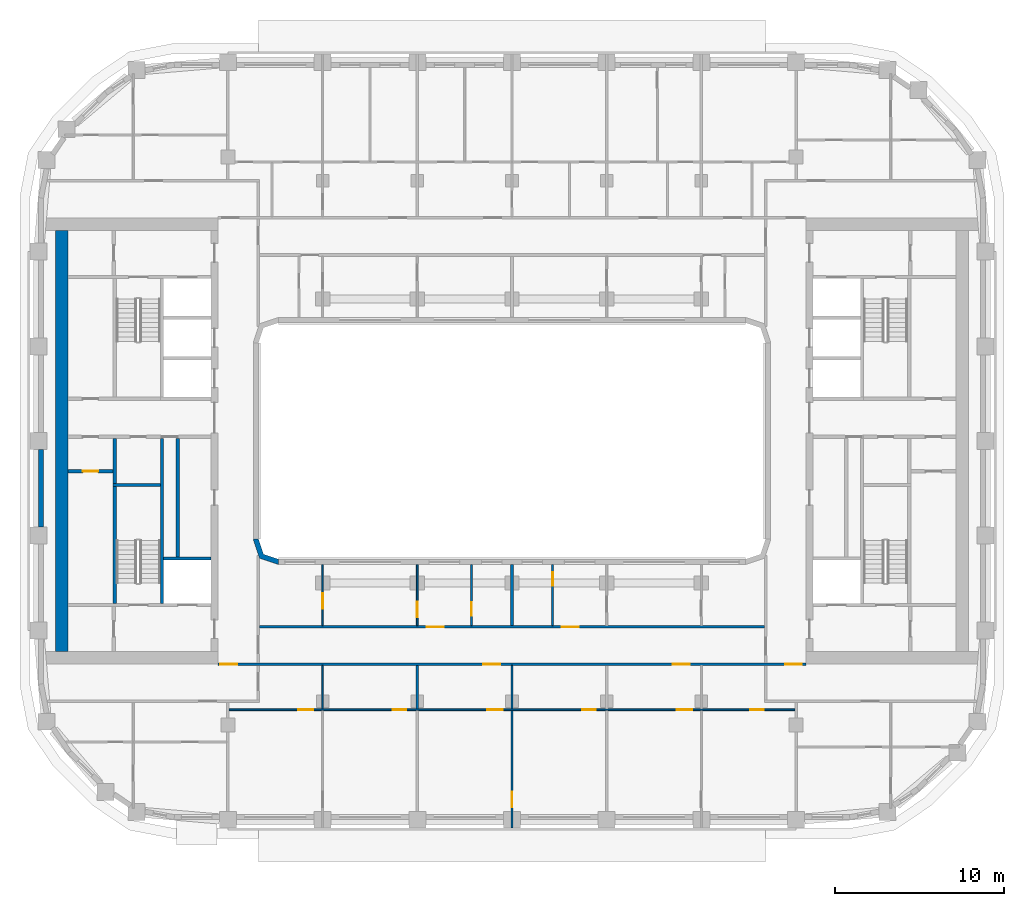
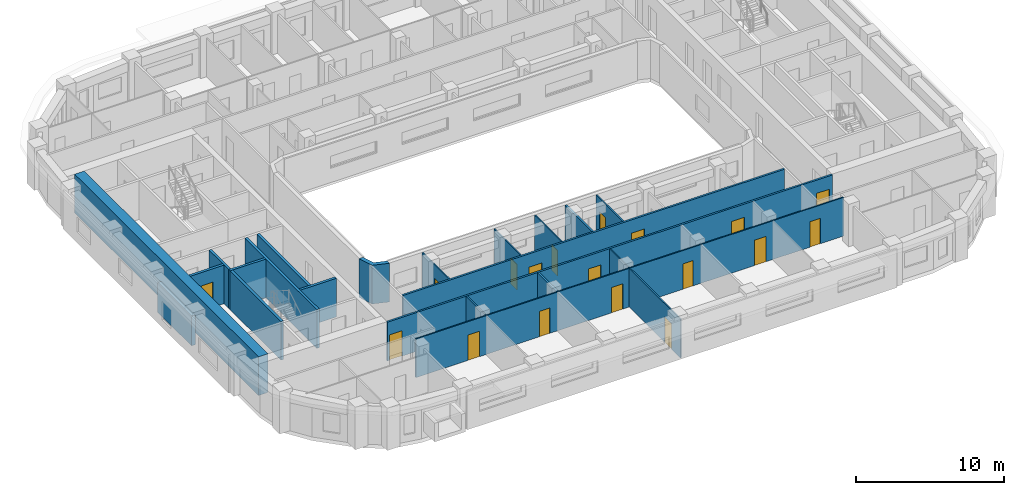
# One storey, part 3 of 22: 22 walls, 18 doors, 18 openings.
"""IFC4 building model written with IfcOpenShell, lengths in metres."""

from ifc_helpers import new_model, si_unit, direction, frame, frame_2d, origin, place, context, subcontext, project, spatial, polyline, rectangle, outline, extrude, material, layer, layer_set, type_object, element, fill, save


model = new_model("IFC4")

# Units and contexts
model_context = context("Model", 3, precision=1e-05, world=origin(), true_north=direction((0.0, 1.0)))
body_context = subcontext(model_context, "Body", "Model", "MODEL_VIEW")
ifc_project = project(units=[si_unit("LENGTHUNIT", "METRE"), si_unit("AREAUNIT", "SQUARE_METRE"), si_unit("VOLUMEUNIT", "CUBIC_METRE"), si_unit("PLANEANGLEUNIT", "RADIAN"), si_unit("MASSUNIT", "GRAM", prefix="KILO")], contexts=[model_context])

# Site, building, storey
site_placement = place(None, origin())
site = spatial("IfcSite", under=ifc_project, at=site_placement, CompositionType="ELEMENT")
building_placement = place(site_placement, origin())
building = spatial("IfcBuilding", under=site, at=building_placement, Name="Kiln Ring Residences", CompositionType="ELEMENT")
storey_placement = place(building_placement, frame((0.0, 0.0, 171.10009765625)))
storey = spatial("IfcBuildingStorey", under=building, at=storey_placement, Name="L44", CompositionType="ELEMENT", Elevation=171.10009765625)

# Walls
ifc_material_1 = material(Name="Gypsum board on steel studs", Category="steel")
ifc_layer_1 = layer(ifc_material_1, 0.199951171875)
ifc_layer_set_1 = layer_set([ifc_layer_1], Name="CORE-PARTITION-200")
wall_type_1 = type_object("IfcWallType", Name="CORE-PARTITION-200", PredefinedType="PARTITIONING", material=ifc_layer_set_1)
wall_1_placement = place(storey_placement, frame((-23.5, -2.5, 0.0), z_axis=(0.0, 0.0, 1.0), x_axis=(0.0, 1.0, 0.0)))
element("IfcWall", 1, at=wall_1_placement, inside=storey, type_object=wall_type_1, Name="Core partition west L44 1", PredefinedType="PARTITIONING", context=body_context, shape_type="SweptSolid", body=[
    extrude(rectangle(XDim=2.64990234375, YDim=0.199951171875, at=frame_2d((1.324951171875, 0.0))), origin(), (0.0, 0.0, 1.0), 3.199951171875),
])
wall_2_placement = place(storey_placement, frame((-19.760009765625, -6.85009765625, 0.0), z_axis=(0.0, 0.0, 1.0), x_axis=(0.0, 1.0, 0.0)))
element("IfcWall", 2, at=wall_2_placement, inside=storey, type_object=wall_type_1, Name="Core partition west L44 3", PredefinedType="PARTITIONING", context=body_context, shape_type="SweptSolid", body=[
    extrude(rectangle(XDim=7.0, YDim=0.199951171875, at=frame_2d((3.5, 0.0))), origin(), (0.0, 0.0, 1.0), 3.199951171875),
])

# Wall, opening, door
wall_3_placement = place(storey_placement, frame((-23.60009765625, -1.800048828125, 0.0), z_axis=(0.0, 0.0, 1.0), x_axis=(-1.0, 0.0, 0.0)))
wall_3 = element("IfcWall", 3, at=wall_3_placement, inside=storey, type_object=wall_type_1, Name="Core partition west L44 6", PredefinedType="PARTITIONING", context=body_context, shape_type="SweptSolid", body=[
    extrude(rectangle(XDim=2.64990234375, YDim=0.199951171875, at=frame_2d((1.324951171875, 0.0))), origin(), (0.0, 0.0, 1.0), 3.199951171875),
])
opening_1_placement = place(wall_3_placement, frame((0.875, 0.0, 0.0)))
opening_1 = element("IfcOpeningElement", 4, at=opening_1_placement, cuts=wall_3, Name="Opening L44-CW15", PredefinedType="OPENING", context=body_context, shape_type="SweptSolid", body=[
    extrude(rectangle(XDim=0.89990234375, YDim=2.10009765625, at=frame_2d((0.449951171875, 1.050048828125))), frame((0.0, 0.10986328125, 0.0), z_axis=(0.0, -1.0, 0.0), x_axis=(1.0, 0.0, 0.0)), (0.0, 0.0, 1.0), 0.219970703125),
])
ifc_material_2 = material(Name="Steel door leaf", Category="steel")
door_type_1 = type_object("IfcDoorType", Name="CORE-DOOR-ROOM", OperationType="SINGLE_SWING_LEFT", PredefinedType="DOOR", material=ifc_material_2)
door_1_placement = place(opening_1_placement, origin())
door_1 = element("IfcDoor", 5, at=door_1_placement, inside=storey, type_object=door_type_1, Name="Pump and valve room L44-CW15", OperationType="SINGLE_SWING_RIGHT", OverallHeight=2.10009765625, OverallWidth=0.89990234375, PredefinedType="DOOR", context=body_context, shape_type="SweptSolid", body=[
    extrude(rectangle(XDim=0.89990234375, YDim=2.10009765625, at=frame_2d((0.449951171875, 1.050048828125))), frame((0.0, 0.02490234375, 0.0), z_axis=(0.0, -1.0, 0.0), x_axis=(1.0, 0.0, 0.0)), (0.0, 0.0, 1.0), 0.050048828125),
])
fill(opening_1, door_1)

# Walls
ifc_material_3 = material(Name="Gypsum shaft wall system")
ifc_layer_2 = layer(ifc_material_3, 0.199951171875)
ifc_layer_set_2 = layer_set([ifc_layer_2], Name="CORE-SHAFT-WALL-200")
wall_type_2 = type_object("IfcWallType", Name="CORE-SHAFT-WALL-200", PredefinedType="PARTITIONING", material=ifc_layer_set_2)
wall_4_placement = place(storey_placement, frame((-17.800048828125, -6.949951171875, 0.0), z_axis=(0.0, 0.0, 1.0), x_axis=(-1.0, 0.0, 0.0)))
element("IfcWall", 6, at=wall_4_placement, inside=storey, type_object=wall_type_2, Name="Core partition west L44 7", PredefinedType="PARTITIONING", context=body_context, shape_type="SweptSolid", body=[
    extrude(rectangle(XDim=2.800048828125, YDim=0.199951171875, at=frame_2d((1.39990234375, 0.0))), origin(), (0.0, 0.0, 1.0), 3.199951171875),
])
ifc_material_4 = material(Name="Concrete C40/50", Category="concrete")
ifc_layer_3 = layer(ifc_material_4, 0.199951171875)
ifc_layer_set_3 = layer_set([ifc_layer_3], Name="CORE-WALL-RC200")
wall_type_3 = type_object("IfcWallType", Name="CORE-WALL-RC200", PredefinedType="SHEAR", material=ifc_layer_set_3)
wall_5_placement = place(storey_placement, frame((-20.699951171875, -9.60009765625, 0.0), z_axis=(0.0, 0.0, 1.0), x_axis=(0.0, 1.0, 0.0)))
element("IfcWall", 7, at=wall_5_placement, inside=storey, type_object=wall_type_3, Name="Core wall west L44 2", PredefinedType="SHEAR", context=body_context, shape_type="SweptSolid", body=[
    extrude(rectangle(XDim=9.75, YDim=0.199951171875, at=frame_2d((4.875, 0.0))), origin(), (0.0, 0.0, 1.0), 3.199951171875),
])
wall_6_placement = place(storey_placement, frame((-23.5, -9.60009765625, 0.0), z_axis=(0.0, 0.0, 1.0), x_axis=(0.0, 1.0, 0.0)))
element("IfcWall", 8, at=wall_6_placement, inside=storey, type_object=wall_type_3, Name="Core wall west L44 11", PredefinedType="SHEAR", context=body_context, shape_type="SweptSolid", body=[
    extrude(rectangle(XDim=6.900146484375, YDim=0.199951171875, at=frame_2d((3.4501953125, 0.0))), origin(), (0.0, 0.0, 1.0), 3.199951171875),
])
wall_7_placement = place(storey_placement, frame((-20.800048828125, -2.60009765625, 0.0), z_axis=(0.0, 0.0, 1.0), x_axis=(-1.0, 0.0, 0.0)))
element("IfcWall", 9, at=wall_7_placement, inside=storey, type_object=wall_type_3, Name="Core wall west L44 12", PredefinedType="SHEAR", context=body_context, shape_type="SweptSolid", body=[
    extrude(rectangle(XDim=2.800048828125, YDim=0.199951171875, at=frame_2d((1.39990234375, 0.0))), origin(), (0.0, 0.0, 1.0), 3.199951171875),
])
ifc_material_5 = material(Name="Concrete C60/75", Category="concrete")
ifc_layer_4 = layer(ifc_material_5, 0.75)
ifc_layer_set_4 = layer_set([ifc_layer_4], Name="CORE-WALL-RC750")
wall_type_4 = type_object("IfcWallType", Name="CORE-WALL-RC750", PredefinedType="SHEAR", material=ifc_layer_set_4)
wall_8_placement = place(storey_placement, frame((-26.625, -12.449951171875, 0.0), z_axis=(0.0, 0.0, 1.0), x_axis=(0.0, 1.0, 0.0)))
element("IfcWall", 10, at=wall_8_placement, inside=storey, type_object=wall_type_4, Name="Core wall west L44 7", PredefinedType="SHEAR", context=body_context, shape_type="SweptSolid", body=[
    extrude(rectangle(XDim=24.89990234375, YDim=0.75, at=frame_2d((12.449951171875, 0.0))), origin(), (0.0, 0.0, 1.0), 3.199951171875),
])
ifc_material_6 = material(Name="Brick masonry, dark clay brick", Category="masonry")
ifc_layer_5 = layer(ifc_material_6, 0.300048828125)
ifc_layer_set_5 = layer_set([ifc_layer_5], Name="EW-300 BRICK WALL")
wall_type_5 = type_object("IfcWallType", Name="EW-300 BRICK WALL", PredefinedType="SOLIDWALL", material=ifc_layer_set_5)
wall_9_placement = place(storey_placement, frame((-27.85009765625, -0.5, 0.0), z_axis=(0.0, 0.0, 1.0), x_axis=(0.0, -1.0, 0.0)))
element("IfcWall", 11, at=wall_9_placement, inside=storey, type_object=wall_type_5, Name="Facade wall L44 44", PredefinedType="SOLIDWALL", context=body_context, shape_type="SweptSolid", body=[
    extrude(rectangle(XDim=4.60009765625, YDim=0.300048828125, at=frame_2d((2.300048828125, 0.0))), origin(), (0.0, 0.0, 1.0), 2.449951171875),
])
wall_10_placement = place(storey_placement, origin())
element("IfcWall", 12, at=wall_10_placement, inside=storey, type_object=wall_type_5, Name="Corner wall L44 4", PredefinedType="SOLIDWALL", context=body_context, shape_type="SweptSolid", body=[
    extrude(outline(polyline([(-14.937255859375, -6.937255859375), (-13.8486328125, -7.300048828125), (-13.800048828125, -7.300048828125), (-13.800048828125, -7.0), (-14.699951171875, -6.699951171875), (-15.0, -5.800048828125), (-15.300048828125, -5.800048828125), (-15.300048828125, -5.8486328125), (-14.937255859375, -6.937255859375)])), origin(), (0.0, 0.0, 1.0), 3.199951171875),
])

# Wall, openings, doors
ifc_material_7 = material(Name="Gypsum board on steel studs", Category="steel")
ifc_layer_6 = layer(ifc_material_7, 0.10009765625)
ifc_layer_set_6 = layer_set([ifc_layer_6], Name="PARTITION-100")
wall_type_6 = type_object("IfcWallType", Name="PARTITION-100", PredefinedType="PARTITIONING", material=ifc_layer_set_6)
wall_11_placement = place(storey_placement, frame((-16.72509765625, -15.89990234375, 0.0), z_axis=(0.0, 0.0, 1.0), x_axis=(1.0, 0.0, 0.0)))
wall_11 = element("IfcWall", 13, at=wall_11_placement, inside=storey, type_object=wall_type_6, Name="Partition 002", PredefinedType="PARTITIONING", context=body_context, shape_type="SweptSolid", body=[
    extrude(rectangle(XDim=33.4501953125, YDim=0.10009765625, at=frame_2d((16.72509765625, 0.0))), origin(), (0.0, 0.0, 1.0), 3.199951171875),
])
opening_2_placement = place(wall_11_placement, frame((9.675048828125, 0.0, 0.0)))
opening_2 = element("IfcOpeningElement", 14, at=opening_2_placement, cuts=wall_11, Name="Opening L44-D053", PredefinedType="OPENING", context=body_context, shape_type="SweptSolid", body=[
    extrude(rectangle(XDim=0.800048828125, YDim=2.10009765625, at=frame_2d((0.39990234375, 1.050048828125))), frame((0.0, 0.06005859375, 0.0), z_axis=(0.0, -1.0, 0.0), x_axis=(1.0, 0.0, 0.0)), (0.0, 0.0, 1.0), 0.1201171875),
])
opening_3_placement = place(wall_11_placement, frame((4.074951171875, 0.0, 0.0)))
opening_3 = element("IfcOpeningElement", 15, at=opening_3_placement, cuts=wall_11, Name="Opening L44-D054", PredefinedType="OPENING", context=body_context, shape_type="SweptSolid", body=[
    extrude(rectangle(XDim=0.89990234375, YDim=2.10009765625, at=frame_2d((0.449951171875, 1.050048828125))), frame((0.0, 0.06005859375, 0.0), z_axis=(0.0, -1.0, 0.0), x_axis=(1.0, 0.0, 0.0)), (0.0, 0.0, 1.0), 0.1201171875),
])
opening_4_placement = place(wall_11_placement, frame((20.875, 0.0, 0.0)))
opening_4 = element("IfcOpeningElement", 16, at=opening_4_placement, cuts=wall_11, Name="Opening L44-D057", PredefinedType="OPENING", context=body_context, shape_type="SweptSolid", body=[
    extrude(rectangle(XDim=0.800048828125, YDim=2.10009765625, at=frame_2d((0.39990234375, 1.050048828125))), frame((0.0, 0.06005859375, 0.0), z_axis=(0.0, -1.0, 0.0), x_axis=(1.0, 0.0, 0.0)), (0.0, 0.0, 1.0), 0.1201171875),
])
opening_5_placement = place(wall_11_placement, frame((15.27490234375, 0.0, 0.0)))
opening_5 = element("IfcOpeningElement", 17, at=opening_5_placement, cuts=wall_11, Name="Opening L44-D058", PredefinedType="OPENING", context=body_context, shape_type="SweptSolid", body=[
    extrude(rectangle(XDim=0.89990234375, YDim=2.10009765625, at=frame_2d((0.449951171875, 1.050048828125))), frame((0.0, 0.06005859375, 0.0), z_axis=(0.0, -1.0, 0.0), x_axis=(1.0, 0.0, 0.0)), (0.0, 0.0, 1.0), 0.1201171875),
])
opening_6_placement = place(wall_11_placement, frame((30.824951171875, 0.0, 0.0)))
opening_6 = element("IfcOpeningElement", 18, at=opening_6_placement, cuts=wall_11, Name="Opening L44-D061", PredefinedType="OPENING", context=body_context, shape_type="SweptSolid", body=[
    extrude(rectangle(XDim=0.800048828125, YDim=2.10009765625, at=frame_2d((0.39990234375, 1.050048828125))), frame((0.0, 0.06005859375, 0.0), z_axis=(0.0, -1.0, 0.0), x_axis=(1.0, 0.0, 0.0)), (0.0, 0.0, 1.0), 0.1201171875),
])
opening_7_placement = place(wall_11_placement, frame((26.47509765625, 0.0, 0.0)))
opening_7 = element("IfcOpeningElement", 19, at=opening_7_placement, cuts=wall_11, Name="Opening L44-D062", PredefinedType="OPENING", context=body_context, shape_type="SweptSolid", body=[
    extrude(rectangle(XDim=0.89990234375, YDim=2.10009765625, at=frame_2d((0.449951171875, 1.050048828125))), frame((0.0, 0.06005859375, 0.0), z_axis=(0.0, -1.0, 0.0), x_axis=(1.0, 0.0, 0.0)), (0.0, 0.0, 1.0), 0.1201171875),
])
ifc_material_8 = material(Name="Timber door leaf", Category="wood")
door_type_2 = type_object("IfcDoorType", Name="FLAT-DOOR-800-PL", OperationType="SINGLE_SWING_LEFT", PredefinedType="DOOR", material=ifc_material_8)
door_2_placement = place(opening_2_placement, origin())
door_2 = element("IfcDoor", 20, at=door_2_placement, inside=storey, type_object=door_type_2, Name="Door L44-D053", OperationType="SINGLE_SWING_LEFT", OverallHeight=2.10009765625, OverallWidth=0.800048828125, PredefinedType="DOOR", context=body_context, shape_type="SweptSolid", body=[
    extrude(rectangle(XDim=0.800048828125, YDim=2.10009765625, at=frame_2d((0.39990234375, 1.050048828125))), frame((0.0, 0.02490234375, 0.0), z_axis=(0.0, -1.0, 0.0), x_axis=(1.0, 0.0, 0.0)), (0.0, 0.0, 1.0), 0.050048828125),
])
fill(opening_2, door_2)
door_3_placement = place(opening_4_placement, origin())
door_3 = element("IfcDoor", 21, at=door_3_placement, inside=storey, type_object=door_type_2, Name="Door L44-D057", OperationType="SINGLE_SWING_LEFT", OverallHeight=2.10009765625, OverallWidth=0.800048828125, PredefinedType="DOOR", context=body_context, shape_type="SweptSolid", body=[
    extrude(rectangle(XDim=0.800048828125, YDim=2.10009765625, at=frame_2d((0.39990234375, 1.050048828125))), frame((0.0, 0.02490234375, 0.0), z_axis=(0.0, -1.0, 0.0), x_axis=(1.0, 0.0, 0.0)), (0.0, 0.0, 1.0), 0.050048828125),
])
fill(opening_4, door_3)
door_4_placement = place(opening_6_placement, origin())
door_4 = element("IfcDoor", 22, at=door_4_placement, inside=storey, type_object=door_type_2, Name="Door L44-D061", OperationType="SINGLE_SWING_LEFT", OverallHeight=2.10009765625, OverallWidth=0.800048828125, PredefinedType="DOOR", context=body_context, shape_type="SweptSolid", body=[
    extrude(rectangle(XDim=0.800048828125, YDim=2.10009765625, at=frame_2d((0.39990234375, 1.050048828125))), frame((0.0, 0.02490234375, 0.0), z_axis=(0.0, -1.0, 0.0), x_axis=(1.0, 0.0, 0.0)), (0.0, 0.0, 1.0), 0.050048828125),
])
fill(opening_6, door_4)
ifc_material_9 = material(Name="Timber door leaf", Category="wood")
door_type_3 = type_object("IfcDoorType", Name="FLAT-DOOR-900-PL", OperationType="SINGLE_SWING_LEFT", PredefinedType="DOOR", material=ifc_material_9)
door_5_placement = place(opening_3_placement, origin())
door_5 = element("IfcDoor", 23, at=door_5_placement, inside=storey, type_object=door_type_3, Name="Door L44-D054", OperationType="SINGLE_SWING_RIGHT", OverallHeight=2.10009765625, OverallWidth=0.89990234375, PredefinedType="DOOR", context=body_context, shape_type="SweptSolid", body=[
    extrude(rectangle(XDim=0.89990234375, YDim=2.10009765625, at=frame_2d((0.449951171875, 1.050048828125))), frame((0.0, 0.02490234375, 0.0), z_axis=(0.0, -1.0, 0.0), x_axis=(1.0, 0.0, 0.0)), (0.0, 0.0, 1.0), 0.050048828125),
])
fill(opening_3, door_5)
door_6_placement = place(opening_5_placement, origin())
door_6 = element("IfcDoor", 24, at=door_6_placement, inside=storey, type_object=door_type_3, Name="Door L44-D058", OperationType="SINGLE_SWING_RIGHT", OverallHeight=2.10009765625, OverallWidth=0.89990234375, PredefinedType="DOOR", context=body_context, shape_type="SweptSolid", body=[
    extrude(rectangle(XDim=0.89990234375, YDim=2.10009765625, at=frame_2d((0.449951171875, 1.050048828125))), frame((0.0, 0.02490234375, 0.0), z_axis=(0.0, -1.0, 0.0), x_axis=(1.0, 0.0, 0.0)), (0.0, 0.0, 1.0), 0.050048828125),
])
fill(opening_5, door_6)
door_7_placement = place(opening_7_placement, origin())
door_7 = element("IfcDoor", 25, at=door_7_placement, inside=storey, type_object=door_type_3, Name="Door L44-D062", OperationType="SINGLE_SWING_RIGHT", OverallHeight=2.10009765625, OverallWidth=0.89990234375, PredefinedType="DOOR", context=body_context, shape_type="SweptSolid", body=[
    extrude(rectangle(XDim=0.89990234375, YDim=2.10009765625, at=frame_2d((0.449951171875, 1.050048828125))), frame((0.0, 0.02490234375, 0.0), z_axis=(0.0, -1.0, 0.0), x_axis=(1.0, 0.0, 0.0)), (0.0, 0.0, 1.0), 0.050048828125),
])
fill(opening_7, door_7)

# Wall
wall_12_placement = place(storey_placement, frame((-11.199951171875, -15.85009765625, 0.0), z_axis=(0.0, 0.0, 1.0), x_axis=(0.0, 1.0, 0.0)))
element("IfcWall", 26, at=wall_12_placement, inside=storey, type_object=wall_type_6, Name="Partition 027", PredefinedType="PARTITIONING", context=body_context, shape_type="SweptSolid", body=[
    extrude(rectangle(XDim=2.5751953125, YDim=0.10009765625, at=frame_2d((1.28759765625, 0.0))), origin(), (0.0, 0.0, 1.0), 3.199951171875),
])

# Wall, opening, door
wall_13_placement = place(storey_placement, frame((-11.199951171875, -10.925048828125, 0.0), z_axis=(0.0, 0.0, 1.0), x_axis=(0.0, 1.0, 0.0)))
wall_13 = element("IfcWall", 27, at=wall_13_placement, inside=storey, type_object=wall_type_6, Name="Partition 028", PredefinedType="PARTITIONING", context=body_context, shape_type="SweptSolid", body=[
    extrude(rectangle(XDim=3.60498046875, YDim=0.10009765625, at=frame_2d((1.802490234375, 0.0))), origin(), (0.0, 0.0, 1.0), 3.199951171875),
])
opening_8_placement = place(wall_13_placement, frame((1.0048828125, 0.0, 0.0)))
opening_8 = element("IfcOpeningElement", 28, at=opening_8_placement, cuts=wall_13, Name="Opening L44-D047", PredefinedType="OPENING", context=body_context, shape_type="SweptSolid", body=[
    extrude(rectangle(XDim=0.89990234375, YDim=2.10009765625, at=frame_2d((0.449951171875, 1.050048828125))), frame((0.0, 0.06005859375, 0.0), z_axis=(0.0, -1.0, 0.0), x_axis=(1.0, 0.0, 0.0)), (0.0, 0.0, 1.0), 0.1201171875),
])
door_8_placement = place(opening_8_placement, origin())
door_8 = element("IfcDoor", 29, at=door_8_placement, inside=storey, type_object=door_type_3, Name="Door L44-D047", OperationType="SINGLE_SWING_RIGHT", OverallHeight=2.10009765625, OverallWidth=0.89990234375, PredefinedType="DOOR", context=body_context, shape_type="SweptSolid", body=[
    extrude(rectangle(XDim=0.89990234375, YDim=2.10009765625, at=frame_2d((0.449951171875, 1.050048828125))), frame((0.0, 0.02490234375, 0.0), z_axis=(0.0, -1.0, 0.0), x_axis=(1.0, 0.0, 0.0)), (0.0, 0.0, 1.0), 0.050048828125),
])
fill(opening_8, door_8)

wall_14_placement = place(storey_placement, frame((-5.60009765625, -10.925048828125, 0.0), z_axis=(0.0, 0.0, 1.0), x_axis=(0.0, 1.0, 0.0)))
wall_14 = element("IfcWall", 30, at=wall_14_placement, inside=storey, type_object=wall_type_6, Name="Partition 033", PredefinedType="PARTITIONING", context=body_context, shape_type="SweptSolid", body=[
    extrude(rectangle(XDim=3.60498046875, YDim=0.10009765625, at=frame_2d((1.802490234375, 0.0))), origin(), (0.0, 0.0, 1.0), 3.199951171875),
])
opening_9_placement = place(wall_14_placement, frame((0.5048828125, 0.0, 0.0)))
opening_9 = element("IfcOpeningElement", 31, at=opening_9_placement, cuts=wall_14, Name="Opening L44-D046", PredefinedType="OPENING", context=body_context, shape_type="SweptSolid", body=[
    extrude(rectangle(XDim=0.89990234375, YDim=2.10009765625, at=frame_2d((0.449951171875, 1.050048828125))), frame((0.0, 0.06005859375, 0.0), z_axis=(0.0, -1.0, 0.0), x_axis=(1.0, 0.0, 0.0)), (0.0, 0.0, 1.0), 0.1201171875),
])
door_9_placement = place(opening_9_placement, origin())
door_9 = element("IfcDoor", 32, at=door_9_placement, inside=storey, type_object=door_type_3, Name="Door L44-D046", OperationType="SINGLE_SWING_RIGHT", OverallHeight=2.10009765625, OverallWidth=0.89990234375, PredefinedType="DOOR", context=body_context, shape_type="SweptSolid", body=[
    extrude(rectangle(XDim=0.89990234375, YDim=2.10009765625, at=frame_2d((0.449951171875, 1.050048828125))), frame((0.0, 0.02490234375, 0.0), z_axis=(0.0, -1.0, 0.0), x_axis=(1.0, 0.0, 0.0)), (0.0, 0.0, 1.0), 0.050048828125),
])
fill(opening_9, door_9)

wall_15_placement = place(storey_placement, frame((-2.39990234375, -10.925048828125, 0.0), z_axis=(0.0, 0.0, 1.0), x_axis=(0.0, 1.0, 0.0)))
wall_15 = element("IfcWall", 33, at=wall_15_placement, inside=storey, type_object=wall_type_6, Name="Partition 040", PredefinedType="PARTITIONING", context=body_context, shape_type="SweptSolid", body=[
    extrude(rectangle(XDim=3.60498046875, YDim=0.10009765625, at=frame_2d((1.802490234375, 0.0))), origin(), (0.0, 0.0, 1.0), 3.199951171875),
])
opening_10_placement = place(wall_15_placement, frame((0.575927734375, 0.0, 0.0)))
opening_10 = element("IfcOpeningElement", 34, at=opening_10_placement, cuts=wall_15, Name="Opening L44-D045", PredefinedType="OPENING", context=body_context, shape_type="SweptSolid", body=[
    extrude(rectangle(XDim=0.800048828125, YDim=2.10009765625, at=frame_2d((0.39990234375, 1.050048828125))), frame((0.0, 0.06005859375, 0.0), z_axis=(0.0, -1.0, 0.0), x_axis=(1.0, 0.0, 0.0)), (0.0, 0.0, 1.0), 0.1201171875),
])
door_10_placement = place(opening_10_placement, origin())
door_10 = element("IfcDoor", 35, at=door_10_placement, inside=storey, type_object=door_type_2, Name="Door L44-D045", OperationType="SINGLE_SWING_LEFT", OverallHeight=2.10009765625, OverallWidth=0.800048828125, PredefinedType="DOOR", context=body_context, shape_type="SweptSolid", body=[
    extrude(rectangle(XDim=0.800048828125, YDim=2.10009765625, at=frame_2d((0.39990234375, 1.050048828125))), frame((0.0, 0.02490234375, 0.0), z_axis=(0.0, -1.0, 0.0), x_axis=(1.0, 0.0, 0.0)), (0.0, 0.0, 1.0), 0.050048828125),
])
fill(opening_10, door_10)

wall_16_placement = place(storey_placement, frame((0.0, -22.8798828125, 0.0), z_axis=(0.0, 0.0, 1.0), x_axis=(0.0, 1.0, 0.0)))
wall_16 = element("IfcWall", 36, at=wall_16_placement, inside=storey, type_object=wall_type_6, Name="Partition 041", PredefinedType="PARTITIONING", context=body_context, shape_type="SweptSolid", body=[
    extrude(rectangle(XDim=6.929931640625, YDim=0.10009765625, at=frame_2d((3.46484375, 0.0))), origin(), (0.0, 0.0, 1.0), 3.199951171875),
])
opening_11_placement = place(wall_16_placement, frame((1.219970703125, 0.0, 0.0)))
opening_11 = element("IfcOpeningElement", 37, at=opening_11_placement, cuts=wall_16, Name="Opening L44-D059", PredefinedType="OPENING", context=body_context, shape_type="SweptSolid", body=[
    extrude(rectangle(XDim=0.89990234375, YDim=2.10009765625, at=frame_2d((0.449951171875, 1.050048828125))), frame((0.0, 0.06005859375, 0.0), z_axis=(0.0, -1.0, 0.0), x_axis=(1.0, 0.0, 0.0)), (0.0, 0.0, 1.0), 0.1201171875),
])
door_11_placement = place(opening_11_placement, origin())
door_11 = element("IfcDoor", 38, at=door_11_placement, inside=storey, type_object=door_type_3, Name="Door L44-D059", OperationType="SINGLE_SWING_LEFT", OverallHeight=2.10009765625, OverallWidth=0.89990234375, PredefinedType="DOOR", context=body_context, shape_type="SweptSolid", body=[
    extrude(rectangle(XDim=0.89990234375, YDim=2.10009765625, at=frame_2d((0.449951171875, 1.050048828125))), frame((0.0, 0.02490234375, 0.0), z_axis=(0.0, -1.0, 0.0), x_axis=(1.0, 0.0, 0.0)), (0.0, 0.0, 1.0), 0.050048828125),
])
fill(opening_11, door_11)

# Wall
wall_17_placement = place(storey_placement, frame((0.0, -15.85009765625, 0.0), z_axis=(0.0, 0.0, 1.0), x_axis=(0.0, 1.0, 0.0)))
element("IfcWall", 39, at=wall_17_placement, inside=storey, type_object=wall_type_6, Name="Partition 042", PredefinedType="PARTITIONING", context=body_context, shape_type="SweptSolid", body=[
    extrude(rectangle(XDim=2.5751953125, YDim=0.10009765625, at=frame_2d((1.28759765625, 0.0))), origin(), (0.0, 0.0, 1.0), 3.199951171875),
])

# Wall, opening, door
wall_18_placement = place(storey_placement, frame((2.39990234375, -10.925048828125, 0.0), z_axis=(0.0, 0.0, 1.0), x_axis=(0.0, 1.0, 0.0)))
wall_18 = element("IfcWall", 40, at=wall_18_placement, inside=storey, type_object=wall_type_6, Name="Partition 047", PredefinedType="PARTITIONING", context=body_context, shape_type="SweptSolid", body=[
    extrude(rectangle(XDim=3.60498046875, YDim=0.10009765625, at=frame_2d((1.802490234375, 0.0))), origin(), (0.0, 0.0, 1.0), 3.199951171875),
])
opening_12_placement = place(wall_18_placement, frame((2.35498046875, 0.0, 0.0)))
opening_12 = element("IfcOpeningElement", 41, at=opening_12_placement, cuts=wall_18, Name="Opening L44-D049", PredefinedType="OPENING", context=body_context, shape_type="SweptSolid", body=[
    extrude(rectangle(XDim=0.800048828125, YDim=2.10009765625, at=frame_2d((0.39990234375, 1.050048828125))), frame((0.0, 0.06005859375, 0.0), z_axis=(0.0, -1.0, 0.0), x_axis=(1.0, 0.0, 0.0)), (0.0, 0.0, 1.0), 0.1201171875),
])
door_12_placement = place(opening_12_placement, origin())
door_12 = element("IfcDoor", 42, at=door_12_placement, inside=storey, type_object=door_type_2, Name="Door L44-D049", OperationType="SINGLE_SWING_LEFT", OverallHeight=2.10009765625, OverallWidth=0.800048828125, PredefinedType="DOOR", context=body_context, shape_type="SweptSolid", body=[
    extrude(rectangle(XDim=0.800048828125, YDim=2.10009765625, at=frame_2d((0.39990234375, 1.050048828125))), frame((0.0, 0.02490234375, 0.0), z_axis=(0.0, -1.0, 0.0), x_axis=(1.0, 0.0, 0.0)), (0.0, 0.0, 1.0), 0.050048828125),
])
fill(opening_12, door_12)

# Wall, openings, doors
ifc_material_10 = material(Name="Brick masonry partition", Category="masonry")
ifc_layer_7 = layer(ifc_material_10, 0.14990234375)
ifc_layer_set_7 = layer_set([ifc_layer_7], Name="PARTITION-150-ei60")
wall_type_7 = type_object("IfcWallType", Name="PARTITION-150-ei60", PredefinedType="PARTITIONING", material=ifc_layer_set_7)
wall_19_placement = place(storey_placement, frame((-17.39990234375, -13.199951171875, 0.0), z_axis=(0.0, 0.0, 1.0), x_axis=(1.0, 0.0, 0.0)))
wall_19 = element("IfcWall", 43, at=wall_19_placement, inside=storey, type_object=wall_type_7, Name="Partition 005", PredefinedType="PARTITIONING", context=body_context, shape_type="SweptSolid", body=[
    extrude(rectangle(XDim=34.7998046875, YDim=0.14990234375, at=frame_2d((17.39990234375, 0.0))), origin(), (0.0, 0.0, 1.0), 3.199951171875),
])
opening_13_placement = place(wall_19_placement, frame((0.14990234375, 0.0, 0.0)))
opening_13 = element("IfcOpeningElement", 44, at=opening_13_placement, cuts=wall_19, Name="Opening L44-D007", PredefinedType="OPENING", context=body_context, shape_type="SweptSolid", body=[
    extrude(rectangle(XDim=1.0, YDim=2.10009765625, at=frame_2d((0.5, 1.050048828125))), frame((0.0, 0.0849609375, 0.0), z_axis=(0.0, -1.0, 0.0), x_axis=(1.0, 0.0, 0.0)), (0.0, 0.0, 1.0), 0.169921875),
])
opening_14_placement = place(wall_19_placement, frame((33.550048828125, 0.0, 0.0)))
opening_14 = element("IfcOpeningElement", 45, at=opening_14_placement, cuts=wall_19, Name="Opening L44-D008", PredefinedType="OPENING", context=body_context, shape_type="SweptSolid", body=[
    extrude(rectangle(XDim=1.0, YDim=2.10009765625, at=frame_2d((0.5, 1.050048828125))), frame((0.0, 0.0849609375, 0.0), z_axis=(0.0, -1.0, 0.0), x_axis=(1.0, 0.0, 0.0)), (0.0, 0.0, 1.0), 0.169921875),
])
opening_15_placement = place(wall_19_placement, frame((15.699951171875, 0.0, 0.0)))
opening_15 = element("IfcOpeningElement", 46, at=opening_15_placement, cuts=wall_19, Name="Opening L44-D056", PredefinedType="OPENING", context=body_context, shape_type="SweptSolid", body=[
    extrude(rectangle(XDim=1.0, YDim=2.10009765625, at=frame_2d((0.5, 1.050048828125))), frame((0.0, 0.0849609375, 0.0), z_axis=(0.0, -1.0, 0.0), x_axis=(1.0, 0.0, 0.0)), (0.0, 0.0, 1.0), 0.169921875),
])
opening_16_placement = place(wall_19_placement, frame((26.89990234375, 0.0, 0.0)))
opening_16 = element("IfcOpeningElement", 47, at=opening_16_placement, cuts=wall_19, Name="Opening L44-D060", PredefinedType="OPENING", context=body_context, shape_type="SweptSolid", body=[
    extrude(rectangle(XDim=1.0, YDim=2.10009765625, at=frame_2d((0.5, 1.050048828125))), frame((0.0, 0.0849609375, 0.0), z_axis=(0.0, -1.0, 0.0), x_axis=(1.0, 0.0, 0.0)), (0.0, 0.0, 1.0), 0.169921875),
])
ifc_material_11 = material(Name="Steel faced fire door leaf", Category="steel")
door_type_4 = type_object("IfcDoorType", Name="FLAT-DOOR-1000-FR", OperationType="SINGLE_SWING_LEFT", PredefinedType="DOOR", material=ifc_material_11)
door_13_placement = place(opening_13_placement, origin())
door_13 = element("IfcDoor", 48, at=door_13_placement, inside=storey, type_object=door_type_4, Name="Door L44-D007", OperationType="SINGLE_SWING_RIGHT", OverallHeight=2.10009765625, OverallWidth=1.0, PredefinedType="DOOR", context=body_context, shape_type="SweptSolid", body=[
    extrude(rectangle(XDim=1.0, YDim=2.10009765625, at=frame_2d((0.5, 1.050048828125))), frame((0.0, 0.02490234375, 0.0), z_axis=(0.0, -1.0, 0.0), x_axis=(1.0, 0.0, 0.0)), (0.0, 0.0, 1.0), 0.050048828125),
])
fill(opening_13, door_13)
door_14_placement = place(opening_14_placement, origin())
door_14 = element("IfcDoor", 49, at=door_14_placement, inside=storey, type_object=door_type_4, Name="Door L44-D008", OperationType="SINGLE_SWING_LEFT", OverallHeight=2.10009765625, OverallWidth=1.0, PredefinedType="DOOR", context=body_context, shape_type="SweptSolid", body=[
    extrude(rectangle(XDim=1.0, YDim=2.10009765625, at=frame_2d((0.5, 1.050048828125))), frame((0.0, 0.02490234375, 0.0), z_axis=(0.0, -1.0, 0.0), x_axis=(1.0, 0.0, 0.0)), (0.0, 0.0, 1.0), 0.050048828125),
])
fill(opening_14, door_14)
door_15_placement = place(opening_15_placement, origin())
door_15 = element("IfcDoor", 50, at=door_15_placement, inside=storey, type_object=door_type_4, Name="Door L44-D056", OperationType="SINGLE_SWING_RIGHT", OverallHeight=2.10009765625, OverallWidth=1.0, PredefinedType="DOOR", context=body_context, shape_type="SweptSolid", body=[
    extrude(rectangle(XDim=1.0, YDim=2.10009765625, at=frame_2d((0.5, 1.050048828125))), frame((0.0, 0.02490234375, 0.0), z_axis=(0.0, -1.0, 0.0), x_axis=(1.0, 0.0, 0.0)), (0.0, 0.0, 1.0), 0.050048828125),
])
fill(opening_15, door_15)
door_16_placement = place(opening_16_placement, origin())
door_16 = element("IfcDoor", 51, at=door_16_placement, inside=storey, type_object=door_type_4, Name="Door L44-D060", OperationType="SINGLE_SWING_RIGHT", OverallHeight=2.10009765625, OverallWidth=1.0, PredefinedType="DOOR", context=body_context, shape_type="SweptSolid", body=[
    extrude(rectangle(XDim=1.0, YDim=2.10009765625, at=frame_2d((0.5, 1.050048828125))), frame((0.0, 0.02490234375, 0.0), z_axis=(0.0, -1.0, 0.0), x_axis=(1.0, 0.0, 0.0)), (0.0, 0.0, 1.0), 0.050048828125),
])
fill(opening_16, door_16)

wall_20_placement = place(storey_placement, frame((-14.925048828125, -11.0, 0.0), z_axis=(0.0, 0.0, 1.0), x_axis=(1.0, 0.0, 0.0)))
wall_20 = element("IfcWall", 52, at=wall_20_placement, inside=storey, type_object=wall_type_7, Name="Partition 006", PredefinedType="PARTITIONING", context=body_context, shape_type="SweptSolid", body=[
    extrude(rectangle(XDim=29.85009765625, YDim=0.14990234375, at=frame_2d((14.925048828125, 0.0))), origin(), (0.0, 0.0, 1.0), 3.199951171875),
])
opening_17_placement = place(wall_20_placement, frame((9.875, 0.0, 0.0)))
opening_17 = element("IfcOpeningElement", 53, at=opening_17_placement, cuts=wall_20, Name="Opening L44-D044", PredefinedType="OPENING", context=body_context, shape_type="SweptSolid", body=[
    extrude(rectangle(XDim=1.0, YDim=2.10009765625, at=frame_2d((0.5, 1.050048828125))), frame((0.0, 0.0849609375, 0.0), z_axis=(0.0, -1.0, 0.0), x_axis=(1.0, 0.0, 0.0)), (0.0, 0.0, 1.0), 0.169921875),
])
opening_18_placement = place(wall_20_placement, frame((17.875, 0.0, 0.0)))
opening_18 = element("IfcOpeningElement", 54, at=opening_18_placement, cuts=wall_20, Name="Opening L44-D048", PredefinedType="OPENING", context=body_context, shape_type="SweptSolid", body=[
    extrude(rectangle(XDim=1.0, YDim=2.10009765625, at=frame_2d((0.5, 1.050048828125))), frame((0.0, 0.0849609375, 0.0), z_axis=(0.0, -1.0, 0.0), x_axis=(1.0, 0.0, 0.0)), (0.0, 0.0, 1.0), 0.169921875),
])
door_17_placement = place(opening_17_placement, origin())
door_17 = element("IfcDoor", 55, at=door_17_placement, inside=storey, type_object=door_type_4, Name="Door L44-D044", OperationType="SINGLE_SWING_RIGHT", OverallHeight=2.10009765625, OverallWidth=1.0, PredefinedType="DOOR", context=body_context, shape_type="SweptSolid", body=[
    extrude(rectangle(XDim=1.0, YDim=2.10009765625, at=frame_2d((0.5, 1.050048828125))), frame((0.0, 0.02490234375, 0.0), z_axis=(0.0, -1.0, 0.0), x_axis=(1.0, 0.0, 0.0)), (0.0, 0.0, 1.0), 0.050048828125),
])
fill(opening_17, door_17)
door_18_placement = place(opening_18_placement, origin())
door_18 = element("IfcDoor", 56, at=door_18_placement, inside=storey, type_object=door_type_4, Name="Door L44-D048", OperationType="SINGLE_SWING_RIGHT", OverallHeight=2.10009765625, OverallWidth=1.0, PredefinedType="DOOR", context=body_context, shape_type="SweptSolid", body=[
    extrude(rectangle(XDim=1.0, YDim=2.10009765625, at=frame_2d((0.5, 1.050048828125))), frame((0.0, 0.02490234375, 0.0), z_axis=(0.0, -1.0, 0.0), x_axis=(1.0, 0.0, 0.0)), (0.0, 0.0, 1.0), 0.050048828125),
])
fill(opening_18, door_18)

# Walls
wall_21_placement = place(storey_placement, frame((-5.60009765625, -15.85009765625, 0.0), z_axis=(0.0, 0.0, 1.0), x_axis=(0.0, 1.0, 0.0)))
element("IfcWall", 57, at=wall_21_placement, inside=storey, type_object=wall_type_7, Name="Partition 036", PredefinedType="PARTITIONING", context=body_context, shape_type="SweptSolid", body=[
    extrude(rectangle(XDim=2.5751953125, YDim=0.14990234375, at=frame_2d((1.28759765625, 0.0))), origin(), (0.0, 0.0, 1.0), 3.199951171875),
])
wall_22_placement = place(storey_placement, frame((0.0, -10.925048828125, 0.0), z_axis=(0.0, 0.0, 1.0), x_axis=(0.0, 1.0, 0.0)))
element("IfcWall", 58, at=wall_22_placement, inside=storey, type_object=wall_type_7, Name="Partition 045", PredefinedType="PARTITIONING", context=body_context, shape_type="SweptSolid", body=[
    extrude(rectangle(XDim=3.60498046875, YDim=0.14990234375, at=frame_2d((1.802490234375, 0.0))), origin(), (0.0, 0.0, 1.0), 3.199951171875),
])

save(model, "model.ifc")
